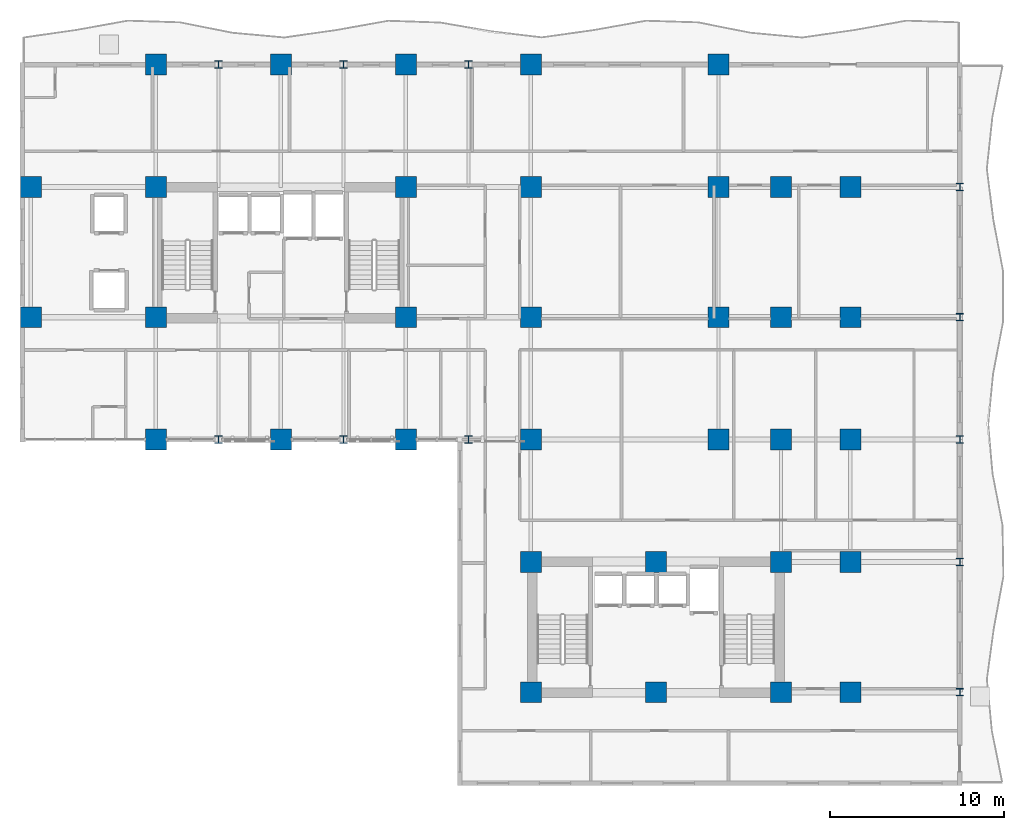
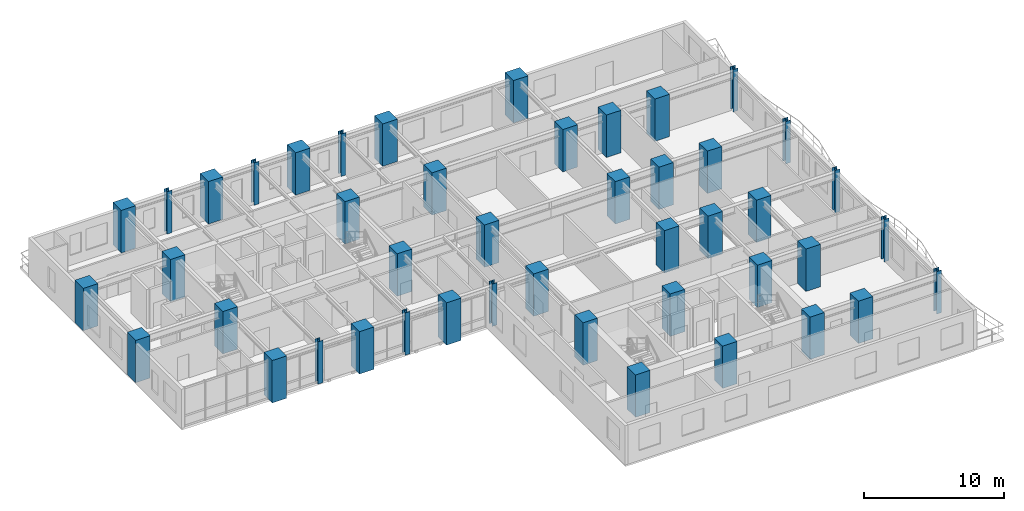
# One storey, part 1 of 16: 45 columns.
"""IFC4 building model written with IfcOpenShell, lengths in metres."""

import ifcopenshell
import ifcopenshell.guid

model = None  # the IFC model being written
_history = None  # IfcOwnerHistory: only IFC2X3 demands one
_inside = {}  # id of a spatial element -> (the spatial element, [elements in it])
_under = {}  # id of a project, library or spatial element -> (it, [spatial elements below it])
_declared = {}  # id of a project -> (the project, [libraries it declares])
_typed = {}  # id of a type object -> (the type object, [elements of that type])
_made_of = {}  # id of a material, layer set ... -> (it, [elements and type objects made of it])


def new_model(schema):
    """Start an empty IFC model of exactly this schema.

    Asked for "IFC4X3", IfcOpenShell would pick the latest addendum, in which some entities
    have other attributes; the version numbers below select the first issue.
    IFC2X3 requires an IfcOwnerHistory on every rooted entity: one is made here for all.
    """
    global model, _history
    if schema == "IFC4X3":
        model = ifcopenshell.file(schema_version=(4, 3, 0, 0))
    else:
        model = ifcopenshell.file(schema=schema)
    _inside.clear()
    _under.clear()
    _declared.clear()
    _typed.clear()
    _made_of.clear()
    _history = None
    if model.schema == "IFC2X3":
        org = make("IfcOrganization", Name="unknown")
        user = make(
            "IfcPersonAndOrganization",
            ThePerson=make("IfcPerson", FamilyName="unknown"),
            TheOrganization=org,
        )
        app = make(
            "IfcApplication",
            ApplicationDeveloper=org,
            Version="unknown",
            ApplicationFullName="unknown",
            ApplicationIdentifier="unknown",
        )
        _history = make(
            "IfcOwnerHistory",
            OwningUser=user,
            OwningApplication=app,
            ChangeAction="ADDED",
            CreationDate=0,
        )
    return model


def make(cls, **values):
    """One entity of the class cls with the attributes given. An attribute that is None is left unset."""
    return model.create_entity(
        cls, **{name: value for name, value in values.items() if value is not None}
    )


def rooted(cls, **values):
    """An entity with a GlobalId (a new one), such as an element, a storey or a relation."""
    return make(cls, GlobalId=ifcopenshell.guid.new(), OwnerHistory=_history, **values)


def si_unit(unit_type, name, prefix=None):
    """IfcSIUnit, for example si_unit("LENGTHUNIT", "METRE", prefix="MILLI")."""
    return make("IfcSIUnit", UnitType=unit_type, Prefix=prefix, Name=name)


def assignment(units):
    """IfcUnitAssignment: the units of a project."""
    return None if units is None else make("IfcUnitAssignment", Units=units)


def point(xyz):
    """IfcCartesianPoint."""
    return None if xyz is None else make("IfcCartesianPoint", Coordinates=xyz)


def direction(xyz):
    """IfcDirection."""
    return None if xyz is None else make("IfcDirection", DirectionRatios=xyz)


def frame(location, z_axis=None, x_axis=None):
    """IfcAxis2Placement3D, a coordinate frame: its origin and axes. An axis left out is left unset."""
    return make(
        "IfcAxis2Placement3D",
        Location=point(location),
        Axis=direction(z_axis),
        RefDirection=direction(x_axis),
    )


def frame_2d(location, x_axis=None):
    """IfcAxis2Placement2D, a coordinate frame in the plane: its origin and x axis."""
    return make(
        "IfcAxis2Placement2D", Location=point(location), RefDirection=direction(x_axis)
    )


def origin():
    """The frame at (0, 0, 0) with its axes left unset."""
    return frame((0.0, 0.0, 0.0))


def origin_2d():
    """The frame at (0, 0) in the plane with its x axis left unset."""
    return frame_2d((0.0, 0.0))


def place(relative_to, where):
    """IfcLocalPlacement: puts the frame where relative to a parent placement (None: the world)."""
    return make(
        "IfcLocalPlacement", PlacementRelTo=relative_to, RelativePlacement=where
    )


def context(
    kind, dimensions, precision=None, world=None, true_north=None, identifier=None
):
    """IfcGeometricRepresentationContext, for example the 3D "Model" context."""
    return make(
        "IfcGeometricRepresentationContext",
        ContextIdentifier=identifier,
        ContextType=kind,
        CoordinateSpaceDimension=dimensions,
        Precision=precision,
        WorldCoordinateSystem=world,
        TrueNorth=true_north,
    )


def subcontext(parent, identifier, kind, view, scale=None):
    """IfcGeometricRepresentationSubContext, for example "Body" below "Model"."""
    return make(
        "IfcGeometricRepresentationSubContext",
        ContextIdentifier=identifier,
        ContextType=kind,
        ParentContext=parent,
        TargetScale=scale,
        TargetView=view,
    )


def project(units=None, contexts=None):
    """IfcProject with its units and contexts."""
    return rooted(
        "IfcProject",
        Name="project",
        RepresentationContexts=contexts,
        UnitsInContext=assignment(units),
    )


def spatial(cls, under=None, at=None, **own):
    """A site, building, storey or space (cls), placed at a placement, below another one or the project."""
    s = rooted(cls, ObjectPlacement=at, **own)
    if under is not None:
        _under.setdefault(under.id(), (under, []))[1].append(s)
    return s


def profile(cls, at=None, kind="AREA", **sizes):
    """A parametric profile (cls). Its sizes go by their IFC names, for example OverallWidth=200.0."""
    return make(cls, ProfileType=kind, Position=at, **sizes)


def rectangle(**sizes):
    """IfcRectangleProfileDef."""
    return profile("IfcRectangleProfileDef", **sizes)


def i_section(**sizes):
    """IfcIShapeProfileDef."""
    return profile("IfcIShapeProfileDef", **sizes)


def extrude(swept, where, along, depth):
    """IfcExtrudedAreaSolid: the profile swept, set in the frame where, extruded along a direction by depth."""
    return make(
        "IfcExtrudedAreaSolid",
        SweptArea=swept,
        Position=where,
        ExtrudedDirection=direction(along),
        Depth=depth,
    )


def shape(context_of_items, identifier, shape_type, items):
    """IfcShapeRepresentation: the items that make up one representation, for example the "Body"."""
    return make(
        "IfcShapeRepresentation",
        ContextOfItems=context_of_items,
        RepresentationIdentifier=identifier,
        RepresentationType=shape_type,
        Items=items,
    )


def source(mapping_origin, context_of_items, identifier, shape_type, items):
    """IfcRepresentationMap: a shape defined once, which mapped items show again and again."""
    return make(
        "IfcRepresentationMap",
        MappingOrigin=mapping_origin,
        MappedRepresentation=shape(context_of_items, identifier, shape_type, items),
    )


def transform(
    local_origin,
    x_axis=None,
    y_axis=None,
    z_axis=None,
    scale=None,
    scale2=None,
    scale3=None,
    uniform=True,
):
    """IfcCartesianTransformationOperator3D, or its non-uniform kind. x_axis, y_axis, z_axis: its Axis1, 2, 3."""
    if uniform:
        return make(
            "IfcCartesianTransformationOperator3D",
            Axis1=direction(x_axis),
            Axis2=direction(y_axis),
            LocalOrigin=point(local_origin),
            Scale=scale,
            Axis3=direction(z_axis),
        )
    return make(
        "IfcCartesianTransformationOperator3DnonUniform",
        Axis1=direction(x_axis),
        Axis2=direction(y_axis),
        LocalOrigin=point(local_origin),
        Scale=scale,
        Axis3=direction(z_axis),
        Scale2=scale2,
        Scale3=scale3,
    )


def mapped(mapping_source, mapping_target):
    """IfcMappedItem: shows the shape of a source again, moved by a transform."""
    return make(
        "IfcMappedItem", MappingSource=mapping_source, MappingTarget=mapping_target
    )


def material(Name=None, Category=None):
    """IfcMaterial."""
    return make("IfcMaterial", Name=Name, Category=Category)


def material_profile(
    of_material, cross_section, Name=None, Category=None, Priority=None
):
    """IfcMaterialProfile: a cross section and its material."""
    return make(
        "IfcMaterialProfile",
        Name=Name,
        Material=of_material,
        Profile=cross_section,
        Priority=Priority,
        Category=Category,
    )


def profile_set(profiles, Name=None, composite=None):
    """IfcMaterialProfileSet."""
    return make(
        "IfcMaterialProfileSet",
        Name=Name,
        MaterialProfiles=profiles,
        CompositeProfile=composite,
    )


def made_of(thing, what):
    """Note that an element or type object is made of a material, layer set ...; save() writes the relation."""
    if what is not None:
        _made_of.setdefault(what.id(), (what, []))[1].append(thing)
    return thing


def type_object(cls, material=None, **own):
    """A type object (cls), such as IfcWallType, which elements share."""
    return made_of(rooted(cls, **own), material)


def element(
    cls,
    number,
    at=None,
    inside=None,
    cuts=None,
    type_object=None,
    material=None,
    context=None,
    identifier="Body",
    shape_type=None,
    held_by="IfcProductDefinitionShape",
    body=None,
    shapes=None,
    **own,
):
    """One element of the class cls, such as IfcWall. Its Tag is "e" and its number.

    at: its placement. inside: the storey or other place that contains it. cuts: it is an
    opening in that element (IfcRelVoidsElement). A single representation is given by context,
    identifier, shape_type and body (its items); several are given by shapes. held_by: the class
    of the entity that holds the representations. save() writes the other relations.
    """
    e = rooted(cls, Tag="e%d" % number, ObjectPlacement=at, **own)
    if body is not None:
        shapes = [shape(context, identifier, shape_type, body)]
    if shapes is not None:
        e.Representation = make(held_by, Representations=shapes)
    if inside is not None:
        _inside.setdefault(inside.id(), (inside, []))[1].append(e)
    if cuts is not None:
        rooted(
            "IfcRelVoidsElement", RelatingBuildingElement=cuts, RelatedOpeningElement=e
        )
    if type_object is not None:
        _typed.setdefault(type_object.id(), (type_object, []))[1].append(e)
    return made_of(e, material)


def aggregate(whole, parts):
    """IfcRelAggregates: a whole, such as a stair, and the parts it consists of."""
    return rooted("IfcRelAggregates", RelatingObject=whole, RelatedObjects=parts)


def save(model, path):
    """Write the relations noted so far, then the file.

    IfcRelAggregates (storeys below a building ...), IfcRelContainedInSpatialStructure (elements
    in a storey), IfcRelDefinesByType, IfcRelAssociatesMaterial and IfcRelDeclares: one each for
    every whole, place, type object, material and project.
    """
    for whole, parts in _under.values():
        aggregate(whole, parts)
    for where, things in _inside.values():
        rooted(
            "IfcRelContainedInSpatialStructure",
            RelatedElements=things,
            RelatingStructure=where,
        )
    for kind, things in _typed.values():
        rooted("IfcRelDefinesByType", RelatedObjects=things, RelatingType=kind)
    for what, things in _made_of.values():
        rooted("IfcRelAssociatesMaterial", RelatedObjects=things, RelatingMaterial=what)
    for by, libraries in _declared.values():
        rooted("IfcRelDeclares", RelatingContext=by, RelatedDefinitions=libraries)
    model.write(path)


model = new_model("IFC4")

# Units and contexts
model_context = context("Model", 3, precision=1e-05, world=origin(), true_north=direction((0.0, 1.0)))
body_context = subcontext(model_context, "Body", "Model", "MODEL_VIEW")
ifc_project = project(units=[si_unit("LENGTHUNIT", "METRE"), si_unit("AREAUNIT", "SQUARE_METRE"), si_unit("VOLUMEUNIT", "CUBIC_METRE"), si_unit("PLANEANGLEUNIT", "RADIAN"), si_unit("MASSUNIT", "GRAM", prefix="KILO")], contexts=[model_context])

# Site, building, storey
site_placement = place(None, origin())
site = spatial("IfcSite", under=ifc_project, at=site_placement, CompositionType="ELEMENT")
building_placement = place(site_placement, origin())
building = spatial("IfcBuilding", under=site, at=building_placement, Name="Kaliganga Portal Commons", CompositionType="ELEMENT")
storey_placement = place(building_placement, frame((0.0, 0.0, 97.10009765625)))
storey = spatial("IfcBuildingStorey", under=building, at=storey_placement, Name="L24", CompositionType="ELEMENT", Elevation=97.10009765625)

# Columns
ifc_material_1 = material(Name="Concrete C60/75", Category="concrete")
ifc_material_profile_1 = material_profile(ifc_material_1, rectangle(XDim=1.199951171875, YDim=1.199951171875, at=origin_2d()), Name="RC 1200x1200")
ifc_profile_set_1 = profile_set([ifc_material_profile_1], Name="Concrete C60/75")
column_type_1 = type_object("IfcColumnType", Name="COL-MEGA-Z2", PredefinedType="COLUMN", material=ifc_profile_set_1)
shared_shape_1 = source(origin(), body_context, "Body", "SweptSolid", [
    extrude(rectangle(XDim=1.199951171875, YDim=1.199951171875, at=origin_2d()), origin(), (0.0, 0.0, 1.0), 3.699951171875),
])
for number, where, z_axis, x_axis, name in (
    (1, (7.199951171875, 28.64990234375, 0.0), (0.0, 0.0, 1.0), (1.0, 0.0, 0.0), "Column MC-03 L24"),
    (2, (7.199951171875, 36.14990234375, 0.0), (0.0, 0.0, 1.0), (1.0, 0.0, 0.0), "Column MC-03 L24"),
    (3, (14.39990234375, 21.60009765625, 0.0), (0.0, 0.0, 1.0), (1.0, 0.0, 0.0), "Column MC-03 L24"),
    (4, (14.39990234375, 28.64990234375, 0.0), (0.0, 0.0, 1.0), (1.0, 0.0, 0.0), "Column MC-03 L24"),
    (5, (14.39990234375, 36.14990234375, 0.0), (0.0, 0.0, 1.0), (1.0, 0.0, 0.0), "Column MC-03 L24"),
    (6, (14.39990234375, 43.199951171875, 0.0), (0.0, 0.0, 1.0), (1.0, 0.0, 0.0), "Column MC-03 L24"),
    (7, (21.60009765625, 21.60009765625, 0.0), (0.0, 0.0, 1.0), (1.0, 0.0, 0.0), "Column MC-03 L24"),
    (8, (21.60009765625, 43.199951171875, 0.0), (0.0, 0.0, 1.0), (1.0, 0.0, 0.0), "Column MC-03 L24"),
    (9, (28.800048828125, 21.60009765625, 0.0), (0.0, 0.0, 1.0), (1.0, 0.0, 0.0), "Column MC-03 L24"),
    (10, (28.800048828125, 28.64990234375, 0.0), (0.0, 0.0, 1.0), (1.0, 0.0, 0.0), "Column MC-03 L24"),
    (11, (28.800048828125, 36.14990234375, 0.0), (0.0, 0.0, 1.0), (1.0, 0.0, 0.0), "Column MC-03 L24"),
    (12, (28.800048828125, 43.199951171875, 0.0), (0.0, 0.0, 1.0), (1.0, 0.0, 0.0), "Column MC-03 L24"),
    (13, (36.0, 21.60009765625, 0.0), (0.0, 0.0, 1.0), (1.0, 0.0, 0.0), "Column MC-03 L24"),
    (14, (36.0, 43.199951171875, 0.0), (0.0, 0.0, 1.0), (1.0, 0.0, 0.0), "Column MC-03 L24"),
    (15, (36.0, 28.64990234375, 0.0), (0.0, 0.0, 1.0), (1.0, 0.0, 0.0), "Column MC-03 L24"),
    (16, (36.0, 36.14990234375, 0.0), (0.0, 0.0, 1.0), (1.0, 0.0, 0.0), "Column MC-03 L24"),
    (17, (46.800048828125, 21.60009765625, 0.0), (0.0, 0.0, 1.0), (1.0, 0.0, 0.0), "Column MC-03 L24"),
    (18, (46.800048828125, 28.64990234375, 0.0), (0.0, 0.0, 1.0), (1.0, 0.0, 0.0), "Column MC-03 L24"),
    (19, (46.800048828125, 36.14990234375, 0.0), (0.0, 0.0, 1.0), (1.0, 0.0, 0.0), "Column MC-03 L24"),
    (20, (46.800048828125, 43.199951171875, 0.0), (0.0, 0.0, 1.0), (1.0, 0.0, 0.0), "Column MC-03 L24"),
    (21, (36.0, 7.050048828125, 0.0), (0.0, 0.0, 1.0), (1.0, 0.0, 0.0), "Column MC-03 L24"),
    (22, (36.0, 14.550048828125, 0.0), (0.0, 0.0, 1.0), (1.0, 0.0, 0.0), "Column MC-03 L24"),
    (23, (43.199951171875, 7.050048828125, 0.0), (0.0, 0.0, 1.0), (1.0, 0.0, 0.0), "Column MC-03 L24"),
    (24, (43.199951171875, 14.550048828125, 0.0), (0.0, 0.0, 1.0), (1.0, 0.0, 0.0), "Column MC-03 L24"),
    (25, (50.39990234375, 7.050048828125, 0.0), (0.0, 0.0, 1.0), (1.0, 0.0, 0.0), "Column MC-03 L24"),
    (26, (50.39990234375, 14.550048828125, 0.0), (0.0, 0.0, 1.0), (1.0, 0.0, 0.0), "Column MC-03 L24"),
    (27, (50.39990234375, 21.60009765625, 0.0), (0.0, 0.0, 1.0), (1.0, 0.0, 0.0), "Column MC-03 L24"),
    (28, (50.39990234375, 28.64990234375, 0.0), (0.0, 0.0, 1.0), (1.0, 0.0, 0.0), "Column MC-03 L24"),
    (29, (50.39990234375, 36.14990234375, 0.0), (0.0, 0.0, 1.0), (1.0, 0.0, 0.0), "Column MC-03 L24"),
    (30, (54.39990234375, 7.050048828125, 0.0), (0.0, 0.0, 1.0), (1.0, 0.0, 0.0), "Column MC-03 L24"),
    (31, (54.39990234375, 14.550048828125, 0.0), (0.0, 0.0, 1.0), (1.0, 0.0, 0.0), "Column MC-03 L24"),
    (32, (54.39990234375, 21.60009765625, 0.0), (0.0, 0.0, 1.0), (1.0, 0.0, 0.0), "Column MC-03 L24"),
    (33, (54.39990234375, 28.64990234375, 0.0), (0.0, 0.0, 1.0), (1.0, 0.0, 0.0), "Column MC-03 L24"),
    (34, (54.39990234375, 36.14990234375, 0.0), (0.0, 0.0, 1.0), (1.0, 0.0, 0.0), "Column MC-03 L24"),
):
    element("IfcColumn", number, at=place(storey_placement, frame(where, z_axis=z_axis, x_axis=x_axis)), inside=storey, type_object=column_type_1, Name=name, PredefinedType="COLUMN", context=body_context, shape_type="MappedRepresentation", body=[
        mapped(shared_shape_1, transform((0.0, 0.0, 0.0), x_axis=(1.0, 0.0, 0.0), y_axis=(0.0, 1.0, 0.0), z_axis=(0.0, 0.0, 1.0), scale=1.0)),
    ])
ifc_material_2 = material(Name="Structural steel S460M", Category="steel")
ifc_material_profile_2 = material_profile(ifc_material_2, i_section(OverallWidth=0.408935546875, OverallDepth=0.429931640625, WebThickness=0.0244140625, FlangeThickness=0.033447265625, FilletRadius=0.014892578125, at=origin_2d()), Name="HD 400x421")
ifc_profile_set_2 = profile_set([ifc_material_profile_2], Name="Structural steel S460M wide-flange")
column_type_2 = type_object("IfcColumnType", Name="COL-TUBE-B2", PredefinedType="COLUMN", material=ifc_profile_set_2)
shared_shape_2 = source(origin(), body_context, "Body", "SweptSolid", [
    extrude(i_section(OverallWidth=0.408935546875, OverallDepth=0.429931640625, WebThickness=0.0244140625, FlangeThickness=0.033447265625, FilletRadius=0.014892578125, at=origin_2d()), origin(), (0.0, 0.0, 1.0), 3.699951171875),
])
for number, where, z_axis, x_axis, name in (
    (35, (18.0, 21.60009765625, 0.0), (0.0, 0.0, 1.0), (1.0, 0.0, 0.0), "Column TC-02 L24"),
    (36, (18.0, 43.199951171875, 0.0), (0.0, 0.0, 1.0), (1.0, 0.0, 0.0), "Column TC-02 L24"),
    (37, (25.199951171875, 21.60009765625, 0.0), (0.0, 0.0, 1.0), (1.0, 0.0, 0.0), "Column TC-02 L24"),
    (38, (25.199951171875, 43.199951171875, 0.0), (0.0, 0.0, 1.0), (1.0, 0.0, 0.0), "Column TC-02 L24"),
    (39, (32.39990234375, 21.60009765625, 0.0), (0.0, 0.0, 1.0), (1.0, 0.0, 0.0), "Column TC-02 L24"),
    (40, (32.39990234375, 43.199951171875, 0.0), (0.0, 0.0, 1.0), (1.0, 0.0, 0.0), "Column TC-02 L24"),
    (41, (60.699951171875, 7.050048828125, 0.0), (0.0, 0.0, 1.0), (1.0, 0.0, 0.0), "Column TC-02 L24"),
    (42, (60.699951171875, 14.550048828125, 0.0), (0.0, 0.0, 1.0), (1.0, 0.0, 0.0), "Column TC-02 L24"),
    (43, (60.699951171875, 21.60009765625, 0.0), (0.0, 0.0, 1.0), (1.0, 0.0, 0.0), "Column TC-02 L24"),
    (44, (60.699951171875, 28.64990234375, 0.0), (0.0, 0.0, 1.0), (1.0, 0.0, 0.0), "Column TC-02 L24"),
    (45, (60.699951171875, 36.14990234375, 0.0), (0.0, 0.0, 1.0), (1.0, 0.0, 0.0), "Column TC-02 L24"),
):
    element("IfcColumn", number, at=place(storey_placement, frame(where, z_axis=z_axis, x_axis=x_axis)), inside=storey, type_object=column_type_2, Name=name, PredefinedType="COLUMN", context=body_context, shape_type="MappedRepresentation", body=[
        mapped(shared_shape_2, transform((0.0, 0.0, 0.0), x_axis=(1.0, 0.0, 0.0), y_axis=(0.0, 1.0, 0.0), z_axis=(0.0, 0.0, 1.0), scale=1.0)),
    ])

save(model, "model.ifc")
